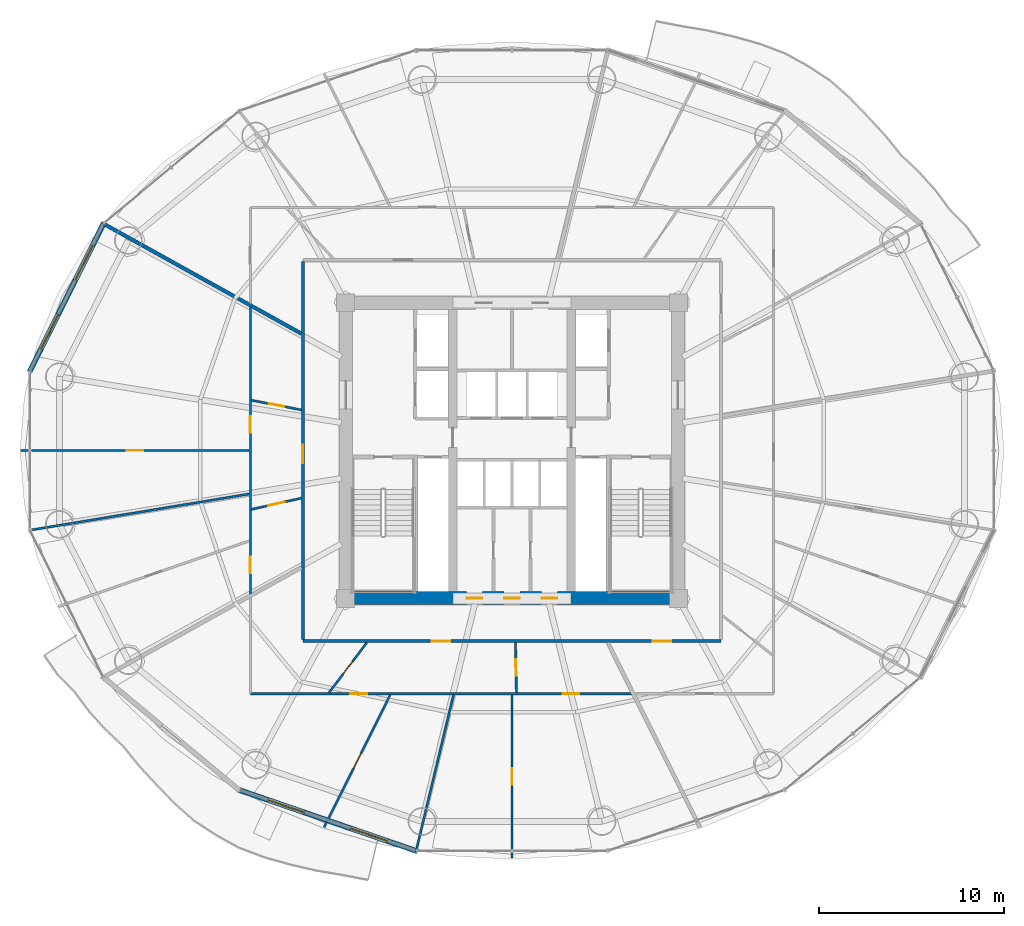
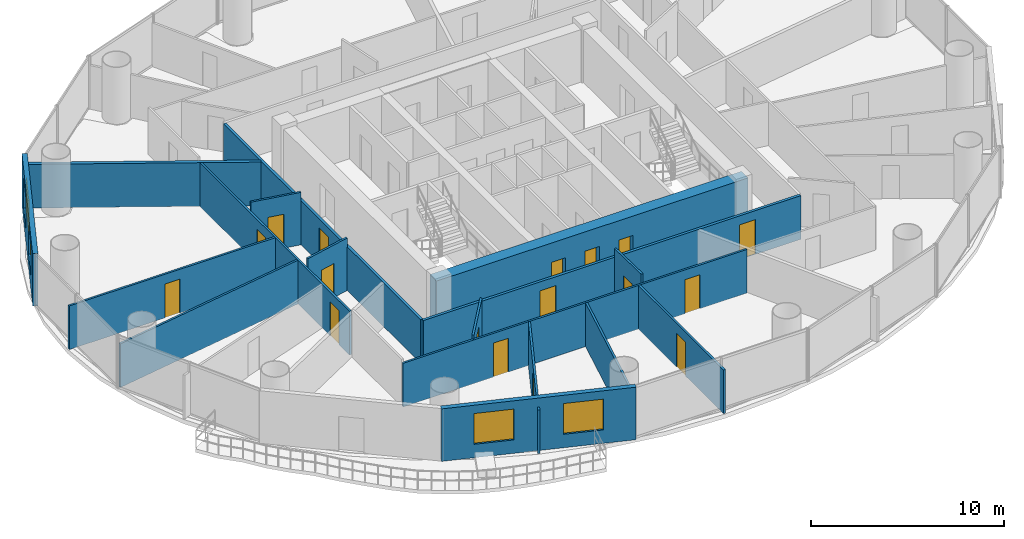
# One storey, part 21 of 28: 17 doors, 17 walls, 4 windows, 21 openings.
"""IFC4 building model written with IfcOpenShell, lengths in metres."""

import ifcopenshell
import ifcopenshell.guid

model = None  # the IFC model being written
_history = None  # IfcOwnerHistory: only IFC2X3 demands one
_inside = {}  # id of a spatial element -> (the spatial element, [elements in it])
_under = {}  # id of a project, library or spatial element -> (it, [spatial elements below it])
_declared = {}  # id of a project -> (the project, [libraries it declares])
_typed = {}  # id of a type object -> (the type object, [elements of that type])
_made_of = {}  # id of a material, layer set ... -> (it, [elements and type objects made of it])


def new_model(schema):
    """Start an empty IFC model of exactly this schema.

    Asked for "IFC4X3", IfcOpenShell would pick the latest addendum, in which some entities
    have other attributes; the version numbers below select the first issue.
    IFC2X3 requires an IfcOwnerHistory on every rooted entity: one is made here for all.
    """
    global model, _history
    if schema == "IFC4X3":
        model = ifcopenshell.file(schema_version=(4, 3, 0, 0))
    else:
        model = ifcopenshell.file(schema=schema)
    _inside.clear()
    _under.clear()
    _declared.clear()
    _typed.clear()
    _made_of.clear()
    _history = None
    if model.schema == "IFC2X3":
        org = make("IfcOrganization", Name="unknown")
        user = make(
            "IfcPersonAndOrganization",
            ThePerson=make("IfcPerson", FamilyName="unknown"),
            TheOrganization=org,
        )
        app = make(
            "IfcApplication",
            ApplicationDeveloper=org,
            Version="unknown",
            ApplicationFullName="unknown",
            ApplicationIdentifier="unknown",
        )
        _history = make(
            "IfcOwnerHistory",
            OwningUser=user,
            OwningApplication=app,
            ChangeAction="ADDED",
            CreationDate=0,
        )
    return model


def make(cls, **values):
    """One entity of the class cls with the attributes given. An attribute that is None is left unset."""
    return model.create_entity(
        cls, **{name: value for name, value in values.items() if value is not None}
    )


def rooted(cls, **values):
    """An entity with a GlobalId (a new one), such as an element, a storey or a relation."""
    return make(cls, GlobalId=ifcopenshell.guid.new(), OwnerHistory=_history, **values)


def si_unit(unit_type, name, prefix=None):
    """IfcSIUnit, for example si_unit("LENGTHUNIT", "METRE", prefix="MILLI")."""
    return make("IfcSIUnit", UnitType=unit_type, Prefix=prefix, Name=name)


def assignment(units):
    """IfcUnitAssignment: the units of a project."""
    return None if units is None else make("IfcUnitAssignment", Units=units)


def point(xyz):
    """IfcCartesianPoint."""
    return None if xyz is None else make("IfcCartesianPoint", Coordinates=xyz)


def direction(xyz):
    """IfcDirection."""
    return None if xyz is None else make("IfcDirection", DirectionRatios=xyz)


def frame(location, z_axis=None, x_axis=None):
    """IfcAxis2Placement3D, a coordinate frame: its origin and axes. An axis left out is left unset."""
    return make(
        "IfcAxis2Placement3D",
        Location=point(location),
        Axis=direction(z_axis),
        RefDirection=direction(x_axis),
    )


def frame_2d(location, x_axis=None):
    """IfcAxis2Placement2D, a coordinate frame in the plane: its origin and x axis."""
    return make(
        "IfcAxis2Placement2D", Location=point(location), RefDirection=direction(x_axis)
    )


def origin():
    """The frame at (0, 0, 0) with its axes left unset."""
    return frame((0.0, 0.0, 0.0))


def place(relative_to, where):
    """IfcLocalPlacement: puts the frame where relative to a parent placement (None: the world)."""
    return make(
        "IfcLocalPlacement", PlacementRelTo=relative_to, RelativePlacement=where
    )


def context(
    kind, dimensions, precision=None, world=None, true_north=None, identifier=None
):
    """IfcGeometricRepresentationContext, for example the 3D "Model" context."""
    return make(
        "IfcGeometricRepresentationContext",
        ContextIdentifier=identifier,
        ContextType=kind,
        CoordinateSpaceDimension=dimensions,
        Precision=precision,
        WorldCoordinateSystem=world,
        TrueNorth=true_north,
    )


def subcontext(parent, identifier, kind, view, scale=None):
    """IfcGeometricRepresentationSubContext, for example "Body" below "Model"."""
    return make(
        "IfcGeometricRepresentationSubContext",
        ContextIdentifier=identifier,
        ContextType=kind,
        ParentContext=parent,
        TargetScale=scale,
        TargetView=view,
    )


def project(units=None, contexts=None):
    """IfcProject with its units and contexts."""
    return rooted(
        "IfcProject",
        Name="project",
        RepresentationContexts=contexts,
        UnitsInContext=assignment(units),
    )


def spatial(cls, under=None, at=None, **own):
    """A site, building, storey or space (cls), placed at a placement, below another one or the project."""
    s = rooted(cls, ObjectPlacement=at, **own)
    if under is not None:
        _under.setdefault(under.id(), (under, []))[1].append(s)
    return s


def profile(cls, at=None, kind="AREA", **sizes):
    """A parametric profile (cls). Its sizes go by their IFC names, for example OverallWidth=200.0."""
    return make(cls, ProfileType=kind, Position=at, **sizes)


def rectangle(**sizes):
    """IfcRectangleProfileDef."""
    return profile("IfcRectangleProfileDef", **sizes)


def extrude(swept, where, along, depth):
    """IfcExtrudedAreaSolid: the profile swept, set in the frame where, extruded along a direction by depth."""
    return make(
        "IfcExtrudedAreaSolid",
        SweptArea=swept,
        Position=where,
        ExtrudedDirection=direction(along),
        Depth=depth,
    )


def shape(context_of_items, identifier, shape_type, items):
    """IfcShapeRepresentation: the items that make up one representation, for example the "Body"."""
    return make(
        "IfcShapeRepresentation",
        ContextOfItems=context_of_items,
        RepresentationIdentifier=identifier,
        RepresentationType=shape_type,
        Items=items,
    )


def source(mapping_origin, context_of_items, identifier, shape_type, items):
    """IfcRepresentationMap: a shape defined once, which mapped items show again and again."""
    return make(
        "IfcRepresentationMap",
        MappingOrigin=mapping_origin,
        MappedRepresentation=shape(context_of_items, identifier, shape_type, items),
    )


def transform(
    local_origin,
    x_axis=None,
    y_axis=None,
    z_axis=None,
    scale=None,
    scale2=None,
    scale3=None,
    uniform=True,
):
    """IfcCartesianTransformationOperator3D, or its non-uniform kind. x_axis, y_axis, z_axis: its Axis1, 2, 3."""
    if uniform:
        return make(
            "IfcCartesianTransformationOperator3D",
            Axis1=direction(x_axis),
            Axis2=direction(y_axis),
            LocalOrigin=point(local_origin),
            Scale=scale,
            Axis3=direction(z_axis),
        )
    return make(
        "IfcCartesianTransformationOperator3DnonUniform",
        Axis1=direction(x_axis),
        Axis2=direction(y_axis),
        LocalOrigin=point(local_origin),
        Scale=scale,
        Axis3=direction(z_axis),
        Scale2=scale2,
        Scale3=scale3,
    )


def mapped(mapping_source, mapping_target):
    """IfcMappedItem: shows the shape of a source again, moved by a transform."""
    return make(
        "IfcMappedItem", MappingSource=mapping_source, MappingTarget=mapping_target
    )


def material(Name=None, Category=None):
    """IfcMaterial."""
    return make("IfcMaterial", Name=Name, Category=Category)


def layer(
    of_material, thickness, ventilated=None, Name=None, Category=None, Priority=None
):
    """IfcMaterialLayer: one layer of a wall or slab, of a material (None: an air gap)."""
    return make(
        "IfcMaterialLayer",
        Material=of_material,
        LayerThickness=thickness,
        IsVentilated=ventilated,
        Name=Name,
        Category=Category,
        Priority=Priority,
    )


def layer_set(layers, Name=None):
    """IfcMaterialLayerSet."""
    return make("IfcMaterialLayerSet", MaterialLayers=layers, LayerSetName=Name)


def made_of(thing, what):
    """Note that an element or type object is made of a material, layer set ...; save() writes the relation."""
    if what is not None:
        _made_of.setdefault(what.id(), (what, []))[1].append(thing)
    return thing


def type_object(cls, material=None, **own):
    """A type object (cls), such as IfcWallType, which elements share."""
    return made_of(rooted(cls, **own), material)


def element(
    cls,
    number,
    at=None,
    inside=None,
    cuts=None,
    type_object=None,
    material=None,
    context=None,
    identifier="Body",
    shape_type=None,
    held_by="IfcProductDefinitionShape",
    body=None,
    shapes=None,
    **own,
):
    """One element of the class cls, such as IfcWall. Its Tag is "e" and its number.

    at: its placement. inside: the storey or other place that contains it. cuts: it is an
    opening in that element (IfcRelVoidsElement). A single representation is given by context,
    identifier, shape_type and body (its items); several are given by shapes. held_by: the class
    of the entity that holds the representations. save() writes the other relations.
    """
    e = rooted(cls, Tag="e%d" % number, ObjectPlacement=at, **own)
    if body is not None:
        shapes = [shape(context, identifier, shape_type, body)]
    if shapes is not None:
        e.Representation = make(held_by, Representations=shapes)
    if inside is not None:
        _inside.setdefault(inside.id(), (inside, []))[1].append(e)
    if cuts is not None:
        rooted(
            "IfcRelVoidsElement", RelatingBuildingElement=cuts, RelatedOpeningElement=e
        )
    if type_object is not None:
        _typed.setdefault(type_object.id(), (type_object, []))[1].append(e)
    return made_of(e, material)


def fill(opening, filler):
    """IfcRelFillsElement: the door or window that sits in an opening."""
    return rooted(
        "IfcRelFillsElement",
        RelatingOpeningElement=opening,
        RelatedBuildingElement=filler,
    )


def aggregate(whole, parts):
    """IfcRelAggregates: a whole, such as a stair, and the parts it consists of."""
    return rooted("IfcRelAggregates", RelatingObject=whole, RelatedObjects=parts)


def save(model, path):
    """Write the relations noted so far, then the file.

    IfcRelAggregates (storeys below a building ...), IfcRelContainedInSpatialStructure (elements
    in a storey), IfcRelDefinesByType, IfcRelAssociatesMaterial and IfcRelDeclares: one each for
    every whole, place, type object, material and project.
    """
    for whole, parts in _under.values():
        aggregate(whole, parts)
    for where, things in _inside.values():
        rooted(
            "IfcRelContainedInSpatialStructure",
            RelatedElements=things,
            RelatingStructure=where,
        )
    for kind, things in _typed.values():
        rooted("IfcRelDefinesByType", RelatedObjects=things, RelatingType=kind)
    for what, things in _made_of.values():
        rooted("IfcRelAssociatesMaterial", RelatedObjects=things, RelatingMaterial=what)
    for by, libraries in _declared.values():
        rooted("IfcRelDeclares", RelatingContext=by, RelatedDefinitions=libraries)
    model.write(path)


model = new_model("IFC4")

# Units and contexts
model_context = context("Model", 3, precision=1e-05, world=origin(), true_north=direction((-0.2419218956, 0.970295726276)))
body_context = subcontext(model_context, "Body", "Model", "MODEL_VIEW")
ifc_project = project(units=[si_unit("LENGTHUNIT", "METRE"), si_unit("AREAUNIT", "SQUARE_METRE"), si_unit("VOLUMEUNIT", "CUBIC_METRE"), si_unit("PLANEANGLEUNIT", "RADIAN"), si_unit("MASSUNIT", "GRAM", prefix="KILO")], contexts=[model_context])

# Site, building, storey
site_placement = place(None, origin())
site = spatial("IfcSite", under=ifc_project, at=site_placement, CompositionType="ELEMENT")
building_placement = place(site_placement, origin())
building = spatial("IfcBuilding", under=site, at=building_placement, Name="Cobrevalo Terracotta Tower", CompositionType="ELEMENT")
storey_placement = place(building_placement, frame((0.0, 0.0, 108.60009765625)))
storey = spatial("IfcBuildingStorey", under=building, at=storey_placement, Name="L28", CompositionType="ELEMENT", Elevation=108.60009765625)

# Wall, openings, doors
ifc_material_1 = material(Name="Concrete C60", Category="concrete")
ifc_layer_1 = layer(ifc_material_1, 0.699951171875)
ifc_layer_set_1 = layer_set([ifc_layer_1], Name="Concrete C60")
wall_type_1 = type_object("IfcWallType", Name="Core shear wall 700 mm Concrete C60", PredefinedType="SHEAR", material=ifc_layer_set_1)
wall_1_placement = place(storey_placement, frame((28.675048828125, 18.824951171875, 0.0), z_axis=(0.0, 0.0, 1.0), x_axis=(1.0, 0.0, 0.0)))
wall_1 = element("IfcWall", 1, at=wall_1_placement, inside=storey, type_object=wall_type_1, Name="L28 south core shear wall", PredefinedType="SHEAR", context=body_context, shape_type="SweptSolid", body=[
    extrude(rectangle(XDim=18.64990234375, YDim=0.699951171875, at=frame_2d((9.324951171875, 0.0))), origin(), (0.0, 0.0, 1.0), 3.324951171875),
])
opening_1_placement = place(wall_1_placement, frame((6.87744140625, 0.0, 0.0)))
opening_1 = element("IfcOpeningElement", 2, at=opening_1_placement, cuts=wall_1, Name="Opening ID-22", PredefinedType="OPENING", context=body_context, shape_type="SweptSolid", body=[
    extrude(rectangle(XDim=0.85009765625, YDim=2.10009765625, at=frame_2d((0.425048828125, 1.050048828125))), frame((0.0, 0.35986328125, 0.0), z_axis=(0.0, -1.0, 0.0), x_axis=(1.0, 0.0, 0.0)), (0.0, 0.0, 1.0), 0.719970703125),
])
opening_2_placement = place(wall_1_placement, frame((8.89990234375, 0.0, 0.0)))
opening_2 = element("IfcOpeningElement", 3, at=opening_2_placement, cuts=wall_1, Name="Opening ID-22", PredefinedType="OPENING", context=body_context, shape_type="SweptSolid", body=[
    extrude(rectangle(XDim=0.85009765625, YDim=2.10009765625, at=frame_2d((0.425048828125, 1.050048828125))), frame((0.0, 0.35986328125, 0.0), z_axis=(0.0, -1.0, 0.0), x_axis=(1.0, 0.0, 0.0)), (0.0, 0.0, 1.0), 0.719970703125),
])
opening_3_placement = place(wall_1_placement, frame((10.922607421875, 0.0, 0.0)))
opening_3 = element("IfcOpeningElement", 4, at=opening_3_placement, cuts=wall_1, Name="Opening ID-22", PredefinedType="OPENING", context=body_context, shape_type="SweptSolid", body=[
    extrude(rectangle(XDim=0.85009765625, YDim=2.10009765625, at=frame_2d((0.425048828125, 1.050048828125))), frame((0.0, 0.35986328125, 0.0), z_axis=(0.0, -1.0, 0.0), x_axis=(1.0, 0.0, 0.0)), (0.0, 0.0, 1.0), 0.719970703125),
])
ifc_material_2 = material(Name="Powder-coated steel", Category="steel")
door_type_1 = type_object("IfcDoorType", Name="Riser shaft & meter closet fire access door 850x2100 EI 60", OperationType="NOTDEFINED", PredefinedType="DOOR", material=ifc_material_2)
shared_shape_1 = source(origin(), body_context, "Body", "SweptSolid", [
    extrude(rectangle(XDim=0.85009765625, YDim=2.10009765625, at=frame_2d((0.425048828125, 1.050048828125))), frame((0.0, 0.02490234375, 0.0), z_axis=(0.0, -1.0, 0.0), x_axis=(1.0, 0.0, 0.0)), (0.0, 0.0, 1.0), 0.050048828125),
])
door_1_placement = place(opening_1_placement, origin())
door_1 = element("IfcDoor", 5, at=door_1_placement, inside=storey, type_object=door_type_1, Name="L28 core south plant door HVAC Supply Air Plant", OperationType="SINGLE_SWING_RIGHT", OverallHeight=2.10009765625, OverallWidth=0.85009765625, PredefinedType="DOOR", context=body_context, shape_type="MappedRepresentation", body=[
    mapped(shared_shape_1, transform((0.0, 0.0, 0.0), scale=1.0)),
])
fill(opening_1, door_1)
door_2_placement = place(opening_2_placement, origin())
door_2 = element("IfcDoor", 6, at=door_2_placement, inside=storey, type_object=door_type_1, Name="L28 core south plant door Refuse Chute Store Room", OperationType="SINGLE_SWING_RIGHT", OverallHeight=2.10009765625, OverallWidth=0.85009765625, PredefinedType="DOOR", context=body_context, shape_type="MappedRepresentation", body=[
    mapped(shared_shape_1, transform((0.0, 0.0, 0.0), scale=1.0)),
])
fill(opening_2, door_2)
door_3_placement = place(opening_3_placement, origin())
door_3 = element("IfcDoor", 7, at=door_3_placement, inside=storey, type_object=door_type_1, Name="L28 core south plant door Hydronic Pump Manifold Plant", OperationType="SINGLE_SWING_RIGHT", OverallHeight=2.10009765625, OverallWidth=0.85009765625, PredefinedType="DOOR", context=body_context, shape_type="MappedRepresentation", body=[
    mapped(shared_shape_1, transform((0.0, 0.0, 0.0), scale=1.0)),
])
fill(opening_3, door_3)

ifc_material_3 = material(Name="Gypsum board on steel stud", Category="steel")
ifc_layer_2 = layer(ifc_material_3, 0.159912109375)
ifc_layer_set_2 = layer_set([ifc_layer_2], Name="Gypsum board on steel stud")
wall_type_2 = type_object("IfcWallType", Name="Fire-rated corridor acoustic partition wall 160 mm", PredefinedType="PARTITIONING", material=ifc_layer_set_2)
wall_2_placement = place(storey_placement, frame((26.695068359375, 16.4951171875, 0.0), z_axis=(0.0, 0.0, 1.0), x_axis=(1.0, 0.0, 0.0)))
wall_2 = element("IfcWall", 8, at=wall_2_placement, inside=storey, type_object=wall_type_2, Name="L28 interior partition IW-L28-COR-S", PredefinedType="PARTITIONING", context=body_context, shape_type="SweptSolid", body=[
    extrude(rectangle(XDim=22.60986328125, YDim=0.159912109375, at=frame_2d((11.304931640625, 0.0))), origin(), (0.0, 0.0, 1.0), 2.766845703125),
])
opening_4_placement = place(wall_2_placement, frame((6.974365234375, 0.0, 0.0)))
opening_4 = element("IfcOpeningElement", 9, at=opening_4_placement, cuts=wall_2, Name="Opening ID-05", PredefinedType="OPENING", context=body_context, shape_type="SweptSolid", body=[
    extrude(rectangle(XDim=0.97998046875, YDim=2.199951171875, at=frame_2d((0.489990234375, 1.10009765625))), frame((0.0, 0.08984375, 0.0), z_axis=(0.0, -1.0, 0.0), x_axis=(1.0, 0.0, 0.0)), (0.0, 0.0, 1.0), 0.179931640625),
])
opening_5_placement = place(wall_2_placement, frame((18.922119140625, 0.0, 0.0)))
opening_5 = element("IfcOpeningElement", 10, at=opening_5_placement, cuts=wall_2, Name="Opening ID-05", PredefinedType="OPENING", context=body_context, shape_type="SweptSolid", body=[
    extrude(rectangle(XDim=0.97998046875, YDim=2.199951171875, at=frame_2d((0.489990234375, 1.10009765625))), frame((0.0, 0.08984375, 0.0), z_axis=(0.0, -1.0, 0.0), x_axis=(1.0, 0.0, 0.0)), (0.0, 0.0, 1.0), 0.179931640625),
])
ifc_material_4 = material(Name="Solid hardwood timber", Category="wood")
door_type_2 = type_object("IfcDoorType", Name="Residence entrance fire-rated acoustic timber door 980x2200 EI 60", OperationType="NOTDEFINED", PredefinedType="DOOR", material=ifc_material_4)
shared_shape_2 = source(origin(), body_context, "Body", "SweptSolid", [
    extrude(rectangle(XDim=0.97998046875, YDim=2.199951171875, at=frame_2d((0.489990234375, 1.10009765625))), frame((0.0, 0.02490234375, 0.0), z_axis=(0.0, -1.0, 0.0), x_axis=(1.0, 0.0, 0.0)), (0.0, 0.0, 1.0), 0.050048828125),
])
door_4_placement = place(opening_4_placement, frame((0.97998046875, 0.0, 0.0), z_axis=(0.0, 0.0, 1.0), x_axis=(-1.0, 0.0, 0.0)))
door_4 = element("IfcDoor", 11, at=door_4_placement, inside=storey, type_object=door_type_2, Name="Flat L28D fire-rated apartment entrance door", OperationType="SINGLE_SWING_RIGHT", OverallHeight=2.199951171875, OverallWidth=0.97998046875, PredefinedType="DOOR", context=body_context, shape_type="MappedRepresentation", body=[
    mapped(shared_shape_2, transform((0.0, 0.0, 0.0), scale=1.0)),
])
fill(opening_4, door_4)
door_5_placement = place(opening_5_placement, frame((0.97998046875, 0.0, 0.0), z_axis=(0.0, 0.0, 1.0), x_axis=(-1.0, 0.0, 0.0)))
door_5 = element("IfcDoor", 12, at=door_5_placement, inside=storey, type_object=door_type_2, Name="Flat L28E fire-rated apartment entrance door", OperationType="SINGLE_SWING_LEFT", OverallHeight=2.199951171875, OverallWidth=0.97998046875, PredefinedType="DOOR", context=body_context, shape_type="MappedRepresentation", body=[
    mapped(shared_shape_2, transform((0.0, 0.0, 0.0), scale=1.0)),
])
fill(opening_5, door_5)

# Wall, opening, door
wall_3_placement = place(storey_placement, frame((26.695068359375, 16.574951171875, 0.0), z_axis=(0.0, 0.0, 1.0), x_axis=(0.0, 1.0, 0.0)))
wall_3 = element("IfcWall", 13, at=wall_3_placement, inside=storey, type_object=wall_type_2, Name="L28 interior partition IW-L28-COR-W", PredefinedType="PARTITIONING", context=body_context, shape_type="SweptSolid", body=[
    extrude(rectangle(XDim=20.449951171875, YDim=0.159912109375, at=frame_2d((10.22509765625, 0.0))), origin(), (0.0, 0.0, 1.0), 2.766845703125),
])
opening_6_placement = place(wall_3_placement, frame((9.54736328125, 0.0, 0.0)))
opening_6 = element("IfcOpeningElement", 14, at=opening_6_placement, cuts=wall_3, Name="Opening ID-05", PredefinedType="OPENING", context=body_context, shape_type="SweptSolid", body=[
    extrude(rectangle(XDim=0.97998046875, YDim=2.199951171875, at=frame_2d((0.489990234375, 1.10009765625))), frame((0.0, 0.08984375, 0.0), z_axis=(0.0, -1.0, 0.0), x_axis=(1.0, 0.0, 0.0)), (0.0, 0.0, 1.0), 0.179931640625),
])
door_6_placement = place(opening_6_placement, origin())
door_6 = element("IfcDoor", 15, at=door_6_placement, inside=storey, type_object=door_type_2, Name="Flat L28C fire-rated apartment entrance door", OperationType="SINGLE_SWING_LEFT", OverallHeight=2.199951171875, OverallWidth=0.97998046875, PredefinedType="DOOR", context=body_context, shape_type="MappedRepresentation", body=[
    mapped(shared_shape_2, transform((0.0, 0.0, 0.0), scale=1.0)),
])
fill(opening_6, door_6)

# Wall
ifc_material_5 = material(Name="Autoclaved aerated concrete block", Category="concrete")
ifc_layer_3 = layer(ifc_material_5, 0.199951171875)
ifc_layer_set_3 = layer_set([ifc_layer_3], Name="Autoclaved aerated concrete block")
wall_type_3 = type_object("IfcWallType", Name="Fire-rated stair, shaft & demising masonry wall 200 mm", PredefinedType="PARTITIONING", material=ifc_layer_set_3)
wall_4_placement = place(storey_placement, frame((26.614990234375, 33.120361328125, 0.0), z_axis=(0.0, 0.0, 1.0), x_axis=(-0.874319192772, 0.485351366692, 0.0)))
element("IfcWall", 16, at=wall_4_placement, inside=storey, type_object=wall_type_3, Name="L28 interior partition IW-L28-DEM-3", PredefinedType="PARTITIONING", context=body_context, shape_type="SweptSolid", body=[
    extrude(rectangle(XDim=12.158447265625, YDim=0.199951171875, at=frame_2d((6.0791015625, 0.0))), origin(), (0.0, 0.0, 1.0), 2.766845703125),
])

# Wall, openings, windows
ifc_layer_4 = layer(ifc_material_5, 0.280029296875)
ifc_layer_set_4 = layer_set([ifc_layer_4], Name="Autoclaved aerated concrete block")
wall_type_4 = type_object("IfcWallType", Name="Insulated tower spandrel & pier wall 280 mm with terracotta rainscreen", PredefinedType="SOLIDWALL", material=ifc_layer_set_4)
wall_5_placement = place(storey_placement, frame((15.943603515625, 39.133056640625, 0.0), z_axis=(0.0, 0.0, 1.0), x_axis=(-0.446263788661, -0.894901464369, 0.0)))
wall_5 = element("IfcWall", 17, at=wall_5_placement, inside=storey, type_object=wall_type_4, Name="L28 terracotta rainscreen pier wall S07", PredefinedType="SOLIDWALL", context=body_context, shape_type="SweptSolid", body=[
    extrude(rectangle(XDim=9.05029296875, YDim=0.280029296875, at=frame_2d((4.525146484375, 0.0))), origin(), (0.0, 0.0, 1.0), 3.324951171875),
])
opening_7_placement = place(wall_5_placement, frame((1.3935546875, 0.0, 0.85009765625)))
opening_7 = element("IfcOpeningElement", 18, at=opening_7_placement, cuts=wall_5, Name="Opening WN-10", PredefinedType="OPENING", context=body_context, shape_type="SweptSolid", body=[
    extrude(rectangle(XDim=2.10009765625, YDim=1.949951171875, at=frame_2d((1.050048828125, 0.97509765625))), frame((0.0, 0.14990234375, 0.0), z_axis=(0.0, -1.0, 0.0), x_axis=(1.0, 0.0, 0.0)), (0.0, 0.0, 1.0), 0.300048828125),
])
opening_8_placement = place(wall_5_placement, frame((5.556640625, 0.0, 0.85009765625)))
opening_8 = element("IfcOpeningElement", 19, at=opening_8_placement, cuts=wall_5, Name="Opening WN-10", PredefinedType="OPENING", context=body_context, shape_type="SweptSolid", body=[
    extrude(rectangle(XDim=2.10009765625, YDim=1.949951171875, at=frame_2d((1.050048828125, 0.97509765625))), frame((0.0, 0.14990234375, 0.0), z_axis=(0.0, -1.0, 0.0), x_axis=(1.0, 0.0, 0.0)), (0.0, 0.0, 1.0), 0.300048828125),
])
ifc_material_6 = material(Name="Solar-control low-E double glazing", Category="glass")
window_type = type_object("IfcWindowType", Name="Wide panoramic low-E aluminium window 2100x1950", PartitioningType="SINGLE_PANEL", PredefinedType="WINDOW", material=ifc_material_6)
shared_shape_3 = source(origin(), body_context, "Body", "SweptSolid", [
    extrude(rectangle(XDim=2.10009765625, YDim=1.949951171875, at=frame_2d((1.050048828125, 0.97509765625))), frame((0.0, 0.030029296875, 0.0), z_axis=(0.0, -1.0, 0.0), x_axis=(1.0, 0.0, 0.0)), (0.0, 0.0, 1.0), 0.06005859375),
])
window_1_placement = place(opening_7_placement, origin())
window_1 = element("IfcWindow", 20, at=window_1_placement, inside=storey, type_object=window_type, Name="L28 suite window S07A", OverallHeight=1.949951171875, OverallWidth=2.10009765625, PartitioningType="SINGLE_PANEL", PredefinedType="WINDOW", context=body_context, shape_type="MappedRepresentation", body=[
    mapped(shared_shape_3, transform((0.0, 0.0, 0.0), scale=1.0)),
])
fill(opening_7, window_1)
window_2_placement = place(opening_8_placement, origin())
window_2 = element("IfcWindow", 21, at=window_2_placement, inside=storey, type_object=window_type, Name="L28 suite window S07B", OverallHeight=1.949951171875, OverallWidth=2.10009765625, PartitioningType="SINGLE_PANEL", PredefinedType="WINDOW", context=body_context, shape_type="MappedRepresentation", body=[
    mapped(shared_shape_3, transform((0.0, 0.0, 0.0), scale=1.0)),
])
fill(opening_8, window_2)

wall_6_placement = place(storey_placement, frame((23.162841796875, 8.4755859375, 0.0), z_axis=(0.0, 0.0, 1.0), x_axis=(0.945590132341, -0.325360264351, 0.0)))
wall_6 = element("IfcWall", 22, at=wall_6_placement, inside=storey, type_object=wall_type_4, Name="L28 terracotta rainscreen pier wall S11", PredefinedType="SOLIDWALL", context=body_context, shape_type="SweptSolid", body=[
    extrude(rectangle(XDim=10.2890625, YDim=0.280029296875, at=frame_2d((5.14453125, 0.0))), origin(), (0.0, 0.0, 1.0), 3.324951171875),
])
opening_9_placement = place(wall_6_placement, frame((1.72802734375, 0.0, 0.85009765625)))
opening_9 = element("IfcOpeningElement", 23, at=opening_9_placement, cuts=wall_6, Name="Opening WN-10", PredefinedType="OPENING", context=body_context, shape_type="SweptSolid", body=[
    extrude(rectangle(XDim=2.10009765625, YDim=1.949951171875, at=frame_2d((1.050048828125, 0.97509765625))), frame((0.0, 0.14990234375, 0.0), z_axis=(0.0, -1.0, 0.0), x_axis=(1.0, 0.0, 0.0)), (0.0, 0.0, 1.0), 0.300048828125),
])
opening_10_placement = place(wall_6_placement, frame((6.4609375, 0.0, 0.85009765625)))
opening_10 = element("IfcOpeningElement", 24, at=opening_10_placement, cuts=wall_6, Name="Opening WN-10", PredefinedType="OPENING", context=body_context, shape_type="SweptSolid", body=[
    extrude(rectangle(XDim=2.10009765625, YDim=1.949951171875, at=frame_2d((1.050048828125, 0.97509765625))), frame((0.0, 0.14990234375, 0.0), z_axis=(0.0, -1.0, 0.0), x_axis=(1.0, 0.0, 0.0)), (0.0, 0.0, 1.0), 0.300048828125),
])
window_3_placement = place(opening_9_placement, origin())
window_3 = element("IfcWindow", 25, at=window_3_placement, inside=storey, type_object=window_type, Name="L28 suite window S11A", OverallHeight=1.949951171875, OverallWidth=2.10009765625, PartitioningType="SINGLE_PANEL", PredefinedType="WINDOW", context=body_context, shape_type="MappedRepresentation", body=[
    mapped(shared_shape_3, transform((0.0, 0.0, 0.0), scale=1.0)),
])
fill(opening_9, window_3)
window_4_placement = place(opening_10_placement, origin())
window_4 = element("IfcWindow", 26, at=window_4_placement, inside=storey, type_object=window_type, Name="L28 suite window S11B", OverallHeight=1.949951171875, OverallWidth=2.10009765625, PartitioningType="SINGLE_PANEL", PredefinedType="WINDOW", context=body_context, shape_type="MappedRepresentation", body=[
    mapped(shared_shape_3, transform((0.0, 0.0, 0.0), scale=1.0)),
])
fill(opening_10, window_4)

# Wall, openings, doors
ifc_layer_5 = layer(ifc_material_3, 0.1201171875)
ifc_layer_set_5 = layer_set([ifc_layer_5], Name="Gypsum board on steel stud")
wall_type_5 = type_object("IfcWallType", Name="Residential internal acoustic stud partition 120 mm", PredefinedType="PARTITIONING", material=ifc_layer_set_5)
wall_7_placement = place(storey_placement, frame((23.85498046875, 19.049560546875, 0.0), z_axis=(0.0, 0.0, 1.0), x_axis=(0.0, 1.0, 0.0)))
wall_7 = element("IfcWall", 27, at=wall_7_placement, inside=storey, type_object=wall_type_5, Name="L28 interior partition IW-L28-U3-RING0_0", PredefinedType="PARTITIONING", context=body_context, shape_type="SweptSolid", body=[
    extrude(rectangle(XDim=15.5009765625, YDim=0.1201171875, at=frame_2d((7.75048828125, 0.0))), origin(), (0.0, 0.0, 1.0), 2.766845703125),
])
opening_11_placement = place(wall_7_placement, frame((8.704833984375, 0.0, 0.0)))
opening_11 = element("IfcOpeningElement", 28, at=opening_11_placement, cuts=wall_7, Name="Opening ID-12", PredefinedType="OPENING", context=body_context, shape_type="SweptSolid", body=[
    extrude(rectangle(XDim=0.89990234375, YDim=2.14990234375, at=frame_2d((0.449951171875, 1.074951171875))), frame((0.0, 0.070068359375, 0.0), z_axis=(0.0, -1.0, 0.0), x_axis=(1.0, 0.0, 0.0)), (0.0, 0.0, 1.0), 0.14013671875),
])
opening_12_placement = place(wall_7_placement, frame((1.111083984375, 0.0, 0.0)))
opening_12 = element("IfcOpeningElement", 29, at=opening_12_placement, cuts=wall_7, Name="Opening ID-12", PredefinedType="OPENING", context=body_context, shape_type="SweptSolid", body=[
    extrude(rectangle(XDim=0.89990234375, YDim=2.14990234375, at=frame_2d((0.449951171875, 1.074951171875))), frame((0.0, 0.070068359375, 0.0), z_axis=(0.0, -1.0, 0.0), x_axis=(1.0, 0.0, 0.0)), (0.0, 0.0, 1.0), 0.14013671875),
])
ifc_material_7 = material(Name="Engineered timber", Category="wood")
door_type_3 = type_object("IfcDoorType", Name="Internal residence & suite timber door 900x2150", OperationType="NOTDEFINED", PredefinedType="DOOR", material=ifc_material_7)
shared_shape_4 = source(origin(), body_context, "Body", "SweptSolid", [
    extrude(rectangle(XDim=0.89990234375, YDim=2.14990234375, at=frame_2d((0.449951171875, 1.074951171875))), frame((0.0, 0.02490234375, 0.0), z_axis=(0.0, -1.0, 0.0), x_axis=(1.0, 0.0, 0.0)), (0.0, 0.0, 1.0), 0.050048828125),
])
door_7_placement = place(opening_11_placement, origin())
door_7 = element("IfcDoor", 30, at=door_7_placement, inside=storey, type_object=door_type_3, Name="Flat L28C Penthouse Living and Dining Room internal door", OperationType="SINGLE_SWING_LEFT", OverallHeight=2.14990234375, OverallWidth=0.89990234375, PredefinedType="DOOR", context=body_context, shape_type="MappedRepresentation", body=[
    mapped(shared_shape_4, transform((0.0, 0.0, 0.0), scale=1.0)),
])
fill(opening_11, door_7)
door_8_placement = place(opening_12_placement, origin())
door_8 = element("IfcDoor", 31, at=door_8_placement, inside=storey, type_object=door_type_3, Name="Flat L28C Penthouse Family Lounge internal door", OperationType="SINGLE_SWING_LEFT", OverallHeight=2.14990234375, OverallWidth=0.89990234375, PredefinedType="DOOR", context=body_context, shape_type="MappedRepresentation", body=[
    mapped(shared_shape_4, transform((0.0, 0.0, 0.0), scale=1.0)),
])
fill(opening_12, door_8)

# Wall, opening, door
wall_8_placement = place(storey_placement, frame((23.79296875, 26.800048828125, 0.0), z_axis=(0.0, 0.0, 1.0), x_axis=(-1.0, 0.0, 0.0)))
wall_8 = element("IfcWall", 32, at=wall_8_placement, inside=storey, type_object=wall_type_5, Name="L28 interior partition IW-L28-U3-ORAD1", PredefinedType="PARTITIONING", context=body_context, shape_type="SweptSolid", body=[
    extrude(rectangle(XDim=12.3330078125, YDim=0.1201171875, at=frame_2d((6.16650390625, 0.0))), origin(), (0.0, 0.0, 1.0), 2.766845703125),
])
opening_13_placement = place(wall_8_placement, frame((5.716552734375, 0.0, 0.0)))
opening_13 = element("IfcOpeningElement", 33, at=opening_13_placement, cuts=wall_8, Name="Opening ID-12", PredefinedType="OPENING", context=body_context, shape_type="SweptSolid", body=[
    extrude(rectangle(XDim=0.89990234375, YDim=2.14990234375, at=frame_2d((0.449951171875, 1.074951171875))), frame((0.0, 0.070068359375, 0.0), z_axis=(0.0, -1.0, 0.0), x_axis=(1.0, 0.0, 0.0)), (0.0, 0.0, 1.0), 0.14013671875),
])
door_9_placement = place(opening_13_placement, origin())
door_9 = element("IfcDoor", 34, at=door_9_placement, inside=storey, type_object=door_type_3, Name="Flat L28C Master Bedroom internal door", OperationType="SINGLE_SWING_RIGHT", OverallHeight=2.14990234375, OverallWidth=0.89990234375, PredefinedType="DOOR", context=body_context, shape_type="MappedRepresentation", body=[
    mapped(shared_shape_4, transform((0.0, 0.0, 0.0), scale=1.0)),
])
fill(opening_13, door_9)

# Wall
wall_9_placement = place(storey_placement, frame((23.7939453125, 24.4521484375, 0.0), z_axis=(0.0, 0.0, 1.0), x_axis=(-0.986620350945, -0.163034607068, 0.0)))
element("IfcWall", 35, at=wall_9_placement, inside=storey, type_object=wall_type_5, Name="L28 interior partition IW-L28-U3-ORAD2", PredefinedType="PARTITIONING", context=body_context, shape_type="SweptSolid", body=[
    extrude(rectangle(XDim=11.927490234375, YDim=0.1201171875, at=frame_2d((5.9638671875, 0.0))), origin(), (0.0, 0.0, 1.0), 2.766845703125),
])

# Wall, opening, door
wall_10_placement = place(storey_placement, frame((26.614990234375, 28.996337890625, 0.0), z_axis=(0.0, 0.0, 1.0), x_axis=(-0.98189351628, 0.18943368942, 0.0)))
wall_10 = element("IfcWall", 36, at=wall_10_placement, inside=storey, type_object=wall_type_5, Name="L28 interior partition IW-L28-U3-IRAD1", PredefinedType="PARTITIONING", context=body_context, shape_type="SweptSolid", body=[
    extrude(rectangle(XDim=2.7490234375, YDim=0.1201171875, at=frame_2d((1.37451171875, 0.0))), origin(), (0.0, 0.0, 1.0), 3.324951171875),
])
opening_14_placement = place(wall_10_placement, frame((0.9443359375, 0.0, 0.0)))
opening_14 = element("IfcOpeningElement", 37, at=opening_14_placement, cuts=wall_10, Name="Opening ID-19", PredefinedType="OPENING", context=body_context, shape_type="SweptSolid", body=[
    extrude(rectangle(XDim=0.860107421875, YDim=2.14990234375, at=frame_2d((0.43017578125, 1.074951171875))), frame((0.0, 0.070068359375, 0.0), z_axis=(0.0, -1.0, 0.0), x_axis=(1.0, 0.0, 0.0)), (0.0, 0.0, 1.0), 0.14013671875),
])
ifc_material_8 = material(Name="Moisture-sealed timber", Category="wood")
door_type_4 = type_object("IfcDoorType", Name="Suite bathroom internal timber door 860x2150", OperationType="NOTDEFINED", PredefinedType="DOOR", material=ifc_material_8)
shared_shape_5 = source(origin(), body_context, "Body", "SweptSolid", [
    extrude(rectangle(XDim=0.860107421875, YDim=2.14990234375, at=frame_2d((0.43017578125, 1.074951171875))), frame((0.0, 0.02490234375, 0.0), z_axis=(0.0, -1.0, 0.0), x_axis=(1.0, 0.0, 0.0)), (0.0, 0.0, 1.0), 0.050048828125),
])
door_10_placement = place(opening_14_placement, frame((0.860107421875, 0.0, 0.0), z_axis=(0.0, 0.0, 1.0), x_axis=(-1.0, 0.0, 0.0)))
door_10 = element("IfcDoor", 38, at=door_10_placement, inside=storey, type_object=door_type_4, Name="Flat L28C Primary Bathroom internal door", OperationType="SINGLE_SWING_RIGHT", OverallHeight=2.14990234375, OverallWidth=0.860107421875, PredefinedType="DOOR", context=body_context, shape_type="MappedRepresentation", body=[
    mapped(shared_shape_5, transform((0.0, 0.0, 0.0), scale=1.0)),
])
fill(opening_14, door_10)

wall_11_placement = place(storey_placement, frame((26.614990234375, 24.22802734375, 0.0), z_axis=(0.0, 0.0, 1.0), x_axis=(-0.975417151515, -0.220366468706, 0.0)))
wall_11 = element("IfcWall", 39, at=wall_11_placement, inside=storey, type_object=wall_type_5, Name="L28 interior partition IW-L28-U3-IRAD2", PredefinedType="PARTITIONING", context=body_context, shape_type="SweptSolid", body=[
    extrude(rectangle(XDim=2.767578125, YDim=0.1201171875, at=frame_2d((1.3837890625, 0.0))), origin(), (0.0, 0.0, 1.0), 3.324951171875),
])
opening_15_placement = place(wall_11_placement, frame((0.933837890625, 0.0, 0.0)))
opening_15 = element("IfcOpeningElement", 40, at=opening_15_placement, cuts=wall_11, Name="Opening ID-12", PredefinedType="OPENING", context=body_context, shape_type="SweptSolid", body=[
    extrude(rectangle(XDim=0.89990234375, YDim=2.14990234375, at=frame_2d((0.449951171875, 1.074951171875))), frame((0.0, 0.070068359375, 0.0), z_axis=(0.0, -1.0, 0.0), x_axis=(1.0, 0.0, 0.0)), (0.0, 0.0, 1.0), 0.14013671875),
])
door_11_placement = place(opening_15_placement, origin())
door_11 = element("IfcDoor", 41, at=door_11_placement, inside=storey, type_object=door_type_3, Name="Flat L28C Kitchen internal door", OperationType="SINGLE_SWING_RIGHT", OverallHeight=2.14990234375, OverallWidth=0.89990234375, PredefinedType="DOOR", context=body_context, shape_type="MappedRepresentation", body=[
    mapped(shared_shape_4, transform((0.0, 0.0, 0.0), scale=1.0)),
])
fill(opening_15, door_11)

# Wall, openings, doors
wall_12_placement = place(storey_placement, frame((44.451416015625, 13.655029296875, 0.0), z_axis=(0.0, 0.0, 1.0), x_axis=(-1.0, 0.0, 0.0)))
wall_12 = element("IfcWall", 42, at=wall_12_placement, inside=storey, type_object=wall_type_5, Name="L28 interior partition IW-L28-U4-RING0_0", PredefinedType="PARTITIONING", context=body_context, shape_type="SweptSolid", body=[
    extrude(rectangle(XDim=20.596435546875, YDim=0.1201171875, at=frame_2d((10.29833984375, 0.0))), origin(), (0.0, 0.0, 1.0), 2.766845703125),
])
opening_16_placement = place(wall_12_placement, frame((14.28564453125, 0.0, 0.0)))
opening_16 = element("IfcOpeningElement", 43, at=opening_16_placement, cuts=wall_12, Name="Opening ID-12", PredefinedType="OPENING", context=body_context, shape_type="SweptSolid", body=[
    extrude(rectangle(XDim=0.89990234375, YDim=2.14990234375, at=frame_2d((0.449951171875, 1.074951171875))), frame((0.0, 0.070068359375, 0.0), z_axis=(0.0, -1.0, 0.0), x_axis=(1.0, 0.0, 0.0)), (0.0, 0.0, 1.0), 0.14013671875),
])
opening_17_placement = place(wall_12_placement, frame((2.8154296875, 0.0, 0.0)))
opening_17 = element("IfcOpeningElement", 44, at=opening_17_placement, cuts=wall_12, Name="Opening ID-12", PredefinedType="OPENING", context=body_context, shape_type="SweptSolid", body=[
    extrude(rectangle(XDim=0.89990234375, YDim=2.14990234375, at=frame_2d((0.449951171875, 1.074951171875))), frame((0.0, 0.070068359375, 0.0), z_axis=(0.0, -1.0, 0.0), x_axis=(1.0, 0.0, 0.0)), (0.0, 0.0, 1.0), 0.14013671875),
])
door_12_placement = place(opening_16_placement, origin())
door_12 = element("IfcDoor", 45, at=door_12_placement, inside=storey, type_object=door_type_3, Name="Flat L28D Living and Dining Room internal door", OperationType="SINGLE_SWING_RIGHT", OverallHeight=2.14990234375, OverallWidth=0.89990234375, PredefinedType="DOOR", context=body_context, shape_type="MappedRepresentation", body=[
    mapped(shared_shape_4, transform((0.0, 0.0, 0.0), scale=1.0)),
])
fill(opening_16, door_12)
door_13_placement = place(opening_17_placement, origin())
door_13 = element("IfcDoor", 46, at=door_13_placement, inside=storey, type_object=door_type_3, Name="Flat L28D Penthouse Family Lounge internal door", OperationType="SINGLE_SWING_RIGHT", OverallHeight=2.14990234375, OverallWidth=0.89990234375, PredefinedType="DOOR", context=body_context, shape_type="MappedRepresentation", body=[
    mapped(shared_shape_4, transform((0.0, 0.0, 0.0), scale=1.0)),
])
fill(opening_17, door_13)

# Wall, opening, door
wall_13_placement = place(storey_placement, frame((31.4189453125, 13.599609375, 0.0), z_axis=(0.0, 0.0, 1.0), x_axis=(-0.446188142997, -0.894939182877, 0.0)))
wall_13 = element("IfcWall", 47, at=wall_13_placement, inside=storey, type_object=wall_type_5, Name="L28 interior partition IW-L28-U4-ORAD1", PredefinedType="PARTITIONING", context=body_context, shape_type="SweptSolid", body=[
    extrude(rectangle(XDim=8.001708984375, YDim=0.1201171875, at=frame_2d((4.0009765625, 0.0))), origin(), (0.0, 0.0, 1.0), 2.766845703125),
])
opening_18_placement = place(wall_13_placement, frame((3.55078125, 0.0, 0.0)))
opening_18 = element("IfcOpeningElement", 48, at=opening_18_placement, cuts=wall_13, Name="Opening ID-12", PredefinedType="OPENING", context=body_context, shape_type="SweptSolid", body=[
    extrude(rectangle(XDim=0.89990234375, YDim=2.14990234375, at=frame_2d((0.449951171875, 1.074951171875))), frame((0.0, 0.070068359375, 0.0), z_axis=(0.0, -1.0, 0.0), x_axis=(1.0, 0.0, 0.0)), (0.0, 0.0, 1.0), 0.14013671875),
])
door_14_placement = place(opening_18_placement, origin())
door_14 = element("IfcDoor", 49, at=door_14_placement, inside=storey, type_object=door_type_3, Name="Flat L28D Master Bedroom internal door", OperationType="SINGLE_SWING_LEFT", OverallHeight=2.14990234375, OverallWidth=0.89990234375, PredefinedType="DOOR", context=body_context, shape_type="MappedRepresentation", body=[
    mapped(shared_shape_4, transform((0.0, 0.0, 0.0), scale=1.0)),
])
fill(opening_18, door_14)

# Wall
wall_14_placement = place(storey_placement, frame((34.83837890625, 13.5947265625, 0.0), z_axis=(0.0, 0.0, 1.0), x_axis=(-0.232820082337, -0.972519824611, 0.0)))
element("IfcWall", 50, at=wall_14_placement, inside=storey, type_object=wall_type_5, Name="L28 interior partition IW-L28-U4-ORAD2M1", PredefinedType="PARTITIONING", context=body_context, shape_type="SweptSolid", body=[
    extrude(rectangle(XDim=8.601806640625, YDim=0.1201171875, at=frame_2d((4.30078125, 0.0))), origin(), (0.0, 0.0, 1.0), 2.766845703125),
])

# Wall, opening, door
wall_15_placement = place(storey_placement, frame((38.0, 13.593017578125, 0.0), z_axis=(0.0, 0.0, 1.0), x_axis=(0.0, -1.0, 0.0)))
wall_15 = element("IfcWall", 51, at=wall_15_placement, inside=storey, type_object=wall_type_5, Name="L28 interior partition IW-L28-U4-ORAD2", PredefinedType="PARTITIONING", context=body_context, shape_type="SweptSolid", body=[
    extrude(rectangle(XDim=8.8330078125, YDim=0.1201171875, at=frame_2d((4.41650390625, 0.0))), origin(), (0.0, 0.0, 1.0), 2.766845703125),
])
opening_19_placement = place(wall_15_placement, frame((3.966552734375, 0.0, 0.0)))
opening_19 = element("IfcOpeningElement", 52, at=opening_19_placement, cuts=wall_15, Name="Opening ID-12", PredefinedType="OPENING", context=body_context, shape_type="SweptSolid", body=[
    extrude(rectangle(XDim=0.89990234375, YDim=2.14990234375, at=frame_2d((0.449951171875, 1.074951171875))), frame((0.0, 0.070068359375, 0.0), z_axis=(0.0, -1.0, 0.0), x_axis=(1.0, 0.0, 0.0)), (0.0, 0.0, 1.0), 0.14013671875),
])
door_15_placement = place(opening_19_placement, frame((0.89990234375, 0.0, 0.0), z_axis=(0.0, 0.0, 1.0), x_axis=(-1.0, 0.0, 0.0)))
door_15 = element("IfcDoor", 53, at=door_15_placement, inside=storey, type_object=door_type_3, Name="Flat L28D Principal Guest Bedroom internal door", OperationType="SINGLE_SWING_RIGHT", OverallHeight=2.14990234375, OverallWidth=0.89990234375, PredefinedType="DOOR", context=body_context, shape_type="MappedRepresentation", body=[
    mapped(shared_shape_4, transform((0.0, 0.0, 0.0), scale=1.0)),
])
fill(opening_19, door_15)

wall_16_placement = place(storey_placement, frame((30.151123046875, 16.4150390625, 0.0), z_axis=(0.0, 0.0, 1.0), x_axis=(-0.602927617913, -0.79779589342, 0.0)))
wall_16 = element("IfcWall", 54, at=wall_16_placement, inside=storey, type_object=wall_type_5, Name="L28 interior partition IW-L28-U4-IRAD1", PredefinedType="PARTITIONING", context=body_context, shape_type="SweptSolid", body=[
    extrude(rectangle(XDim=3.397705078125, YDim=0.1201171875, at=frame_2d((1.69873046875, 0.0))), origin(), (0.0, 0.0, 1.0), 3.00390625),
])
opening_20_placement = place(wall_16_placement, frame((1.268798828125, 0.0, 0.0)))
opening_20 = element("IfcOpeningElement", 55, at=opening_20_placement, cuts=wall_16, Name="Opening ID-19", PredefinedType="OPENING", context=body_context, shape_type="SweptSolid", body=[
    extrude(rectangle(XDim=0.860107421875, YDim=2.14990234375, at=frame_2d((0.43017578125, 1.074951171875))), frame((0.0, 0.070068359375, 0.0), z_axis=(0.0, -1.0, 0.0), x_axis=(1.0, 0.0, 0.0)), (0.0, 0.0, 1.0), 0.14013671875),
])
door_16_placement = place(opening_20_placement, frame((0.860107421875, 0.0, 0.0), z_axis=(0.0, 0.0, 1.0), x_axis=(-1.0, 0.0, 0.0)))
door_16 = element("IfcDoor", 56, at=door_16_placement, inside=storey, type_object=door_type_4, Name="Flat L28D Primary Bathroom internal door", OperationType="SINGLE_SWING_LEFT", OverallHeight=2.14990234375, OverallWidth=0.860107421875, PredefinedType="DOOR", context=body_context, shape_type="MappedRepresentation", body=[
    mapped(shared_shape_5, transform((0.0, 0.0, 0.0), scale=1.0)),
])
fill(opening_20, door_16)

wall_17_placement = place(storey_placement, frame((38.190185546875, 16.4150390625, 0.0), z_axis=(0.0, 0.0, 1.0), x_axis=(0.018275835903, -0.999832982964, 0.0)))
wall_17 = element("IfcWall", 57, at=wall_17_placement, inside=storey, type_object=wall_type_5, Name="L28 interior partition IW-L28-U4-IRAD2", PredefinedType="PARTITIONING", context=body_context, shape_type="SweptSolid", body=[
    extrude(rectangle(XDim=2.698486328125, YDim=0.1201171875, at=frame_2d((1.34912109375, 0.0))), origin(), (0.0, 0.0, 1.0), 3.324951171875),
])
opening_21_placement = place(wall_17_placement, frame((0.899169921875, 0.0, 0.0)))
opening_21 = element("IfcOpeningElement", 58, at=opening_21_placement, cuts=wall_17, Name="Opening ID-12", PredefinedType="OPENING", context=body_context, shape_type="SweptSolid", body=[
    extrude(rectangle(XDim=0.89990234375, YDim=2.14990234375, at=frame_2d((0.449951171875, 1.074951171875))), frame((0.0, 0.070068359375, 0.0), z_axis=(0.0, -1.0, 0.0), x_axis=(1.0, 0.0, 0.0)), (0.0, 0.0, 1.0), 0.14013671875),
])
door_17_placement = place(opening_21_placement, origin())
door_17 = element("IfcDoor", 59, at=door_17_placement, inside=storey, type_object=door_type_3, Name="Flat L28D Kitchen internal door", OperationType="SINGLE_SWING_LEFT", OverallHeight=2.14990234375, OverallWidth=0.89990234375, PredefinedType="DOOR", context=body_context, shape_type="MappedRepresentation", body=[
    mapped(shared_shape_4, transform((0.0, 0.0, 0.0), scale=1.0)),
])
fill(opening_21, door_17)

save(model, "model.ifc")
